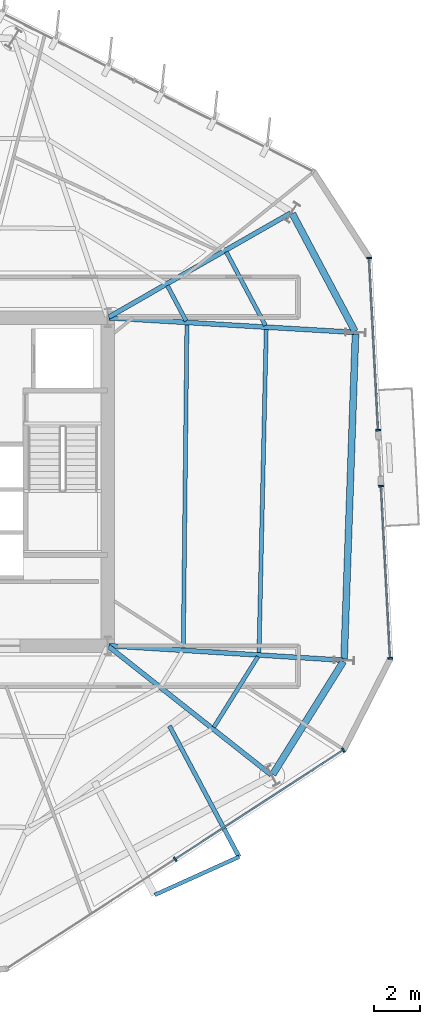
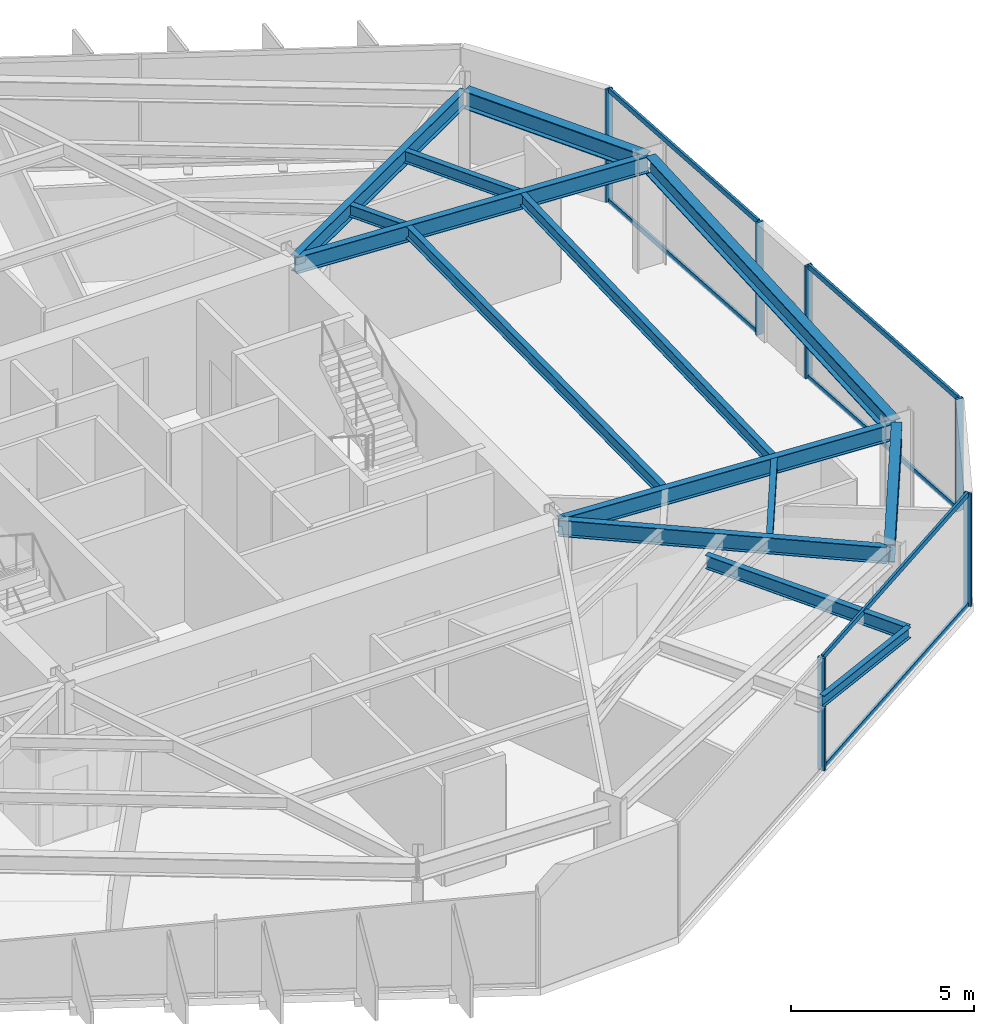
# One storey, part 4 of 12: 14 beams, 12 members, 3 elements without a shape of their own.
"""IFC4 building model written with IfcOpenShell, lengths in metres."""

from ifc_helpers import new_model, si_unit, direction, frame, origin, origin_2d, place, context, subcontext, project, spatial, rectangle, i_section, extrude, material, layer, layer_set, material_profile, profile_set, type_object, element, aggregate, save


model = new_model("IFC4")

# Units and contexts
model_context = context("Model", 3, precision=1e-05, world=origin(), true_north=direction((0.0, 1.0)))
body_context = subcontext(model_context, "Body", "Model", "MODEL_VIEW")
ifc_project = project(units=[si_unit("LENGTHUNIT", "METRE"), si_unit("AREAUNIT", "SQUARE_METRE"), si_unit("VOLUMEUNIT", "CUBIC_METRE"), si_unit("PLANEANGLEUNIT", "RADIAN"), si_unit("MASSUNIT", "GRAM", prefix="KILO")], contexts=[model_context])

# Site, building, storey
site_placement = place(None, origin())
site = spatial("IfcSite", under=ifc_project, at=site_placement, CompositionType="ELEMENT")
building_placement = place(site_placement, origin())
building = spatial("IfcBuilding", under=site, at=building_placement, Name="Kranzbogen Civic Tower", CompositionType="ELEMENT")
storey_placement = place(building_placement, frame((0.0, 0.0, 154.39990234375)))
storey = spatial("IfcBuildingStorey", under=building, at=storey_placement, Name="L37", CompositionType="ELEMENT", Elevation=154.39990234375)

# Beam
ifc_material_1 = material(Name="Steel S355", Category="steel")
ifc_material_profile_1 = material_profile(ifc_material_1, i_section(OverallWidth=0.18994140625, OverallDepth=0.449951171875, WebThickness=0.009521484375, FlangeThickness=0.0146484375, at=origin_2d()), Name="IPE 450")
ifc_profile_set_1 = profile_set([ifc_material_profile_1], Name="Steel S355")
beam_type_1 = type_object("IfcBeamType", Name="Braced Terrace Edge Beam IPE 450", PredefinedType="BEAM", material=ifc_profile_set_1)
beam_1_placement = place(storey_placement, frame((35.51611328125, 14.27490234375, 3.525146484375), z_axis=(0.469473100649, -0.882946775161, 0.0), x_axis=(0.882946775161, 0.469473100649, 0.0)))
element("IfcBeam", 1, at=beam_1_placement, inside=storey, type_object=beam_type_1, Name="L38 back-spanned terrace beam L38-TB1-2", PredefinedType="BEAM", context=body_context, shape_type="SweptSolid", body=[
    extrude(i_section(OverallWidth=0.18994140625, OverallDepth=0.449951171875, WebThickness=0.009521484375, FlangeThickness=0.0146484375, at=origin_2d()), origin(), (0.0, 0.0, 1.0), 6.513427734375),
])

# Curtain wall, members
ifc_material_2 = material(Name="Pale Anodised Aluminium", Category="aluminium")
ifc_layer = layer(ifc_material_2, 0.219970703125, Name="Pale Anodised Aluminium")
ifc_layer_set = layer_set([ifc_layer], Name="Pale Anodised Aluminium")
curtain_wall_type = type_object("IfcCurtainWallType", Name="Zone 2 Stick Curtain Wall System CW-03", PredefinedType="USERDEFINED", material=ifc_layer_set)
curtain_wall_1_placement = place(storey_placement, origin())
curtain_wall_1 = element("IfcCurtainWall", 2, at=curtain_wall_1_placement, inside=storey, type_object=curtain_wall_type, Name="L37 curtain wall CW-L37-F5", ObjectType="STICK CURTAIN WALL", PredefinedType="USERDEFINED")
ifc_material_profile_2 = material_profile(ifc_material_2, rectangle(XDim=0.074951171875, YDim=0.219970703125, at=origin_2d()), Name="ALU-M 75x220")
ifc_profile_set_2 = profile_set([ifc_material_profile_2], Name="Pale Anodised Aluminium")
member_type_1 = type_object("IfcMemberType", Name="Curtain Wall Mullion ALU-M 75x220", PredefinedType="MULLION", material=ifc_profile_set_2)
member_1_placement = place(storey_placement, frame((35.7685546875, 8.41748046875, 0.0), z_axis=(0.0, 0.0, 1.0), x_axis=(0.83865175397, 0.544668004901, 0.0)))
member_1 = element("IfcMember", 3, at=member_1_placement, type_object=member_type_1, Name="CW-03 mullion 2", PredefinedType="MULLION", context=body_context, shape_type="SweptSolid", body=[
    extrude(rectangle(XDim=0.074951171875, YDim=0.219970703125, at=origin_2d()), origin(), (0.0, 0.0, 1.0), 3.760009765625),
])
member_2_placement = place(storey_placement, frame((43.15185546875, 13.212646484375, 0.0), z_axis=(0.0, 0.0, 1.0), x_axis=(0.83865175397, 0.544668004901, 0.0)))
member_2 = element("IfcMember", 4, at=member_2_placement, type_object=member_type_1, Name="CW-03 mullion 3", PredefinedType="MULLION", context=body_context, shape_type="SweptSolid", body=[
    extrude(rectangle(XDim=0.074951171875, YDim=0.219970703125, at=origin_2d()), origin(), (0.0, 0.0, 1.0), 3.760009765625),
])

curtain_wall_2_placement = place(storey_placement, origin())
curtain_wall_2 = element("IfcCurtainWall", 5, at=curtain_wall_2_placement, inside=storey, type_object=curtain_wall_type, Name="L37 curtain wall CW-L37-F6-S1", ObjectType="STICK CURTAIN WALL", PredefinedType="USERDEFINED")
member_3_placement = place(storey_placement, frame((45.205322265625, 17.241943359375, 0.0), z_axis=(0.0, 0.0, 1.0), x_axis=(-0.052393835252, 0.998626499762, 0.0)))
member_3 = element("IfcMember", 6, at=member_3_placement, type_object=member_type_1, Name="CW-03 mullion 1", PredefinedType="MULLION", context=body_context, shape_type="SweptSolid", body=[
    extrude(rectangle(XDim=0.074951171875, YDim=0.219970703125, at=origin_2d()), origin(), (0.0, 0.0, 1.0), 3.760009765625),
])
member_4_placement = place(storey_placement, frame((44.80859375, 24.80615234375, 0.0), z_axis=(0.0, 0.0, 1.0), x_axis=(-0.052393835252, 0.998626499762, 0.0)))
member_4 = element("IfcMember", 7, at=member_4_placement, type_object=member_type_1, Name="CW-03 mullion 2", PredefinedType="MULLION", context=body_context, shape_type="SweptSolid", body=[
    extrude(rectangle(XDim=0.074951171875, YDim=0.219970703125, at=origin_2d()), origin(), (0.0, 0.0, 1.0), 3.760009765625),
])

curtain_wall_3_placement = place(storey_placement, origin())
curtain_wall_3 = element("IfcCurtainWall", 8, at=curtain_wall_3_placement, inside=storey, type_object=curtain_wall_type, Name="L37 curtain wall CW-L37-F6-S2", ObjectType="STICK CURTAIN WALL", PredefinedType="USERDEFINED")
member_5_placement = place(storey_placement, frame((44.680419921875, 27.262939453125, 0.0), z_axis=(0.0, 0.0, 1.0), x_axis=(-0.052400689505, 0.998626140124, 0.0)))
member_5 = element("IfcMember", 9, at=member_5_placement, type_object=member_type_1, Name="CW-03 mullion 1", PredefinedType="MULLION", context=body_context, shape_type="SweptSolid", body=[
    extrude(rectangle(XDim=0.074951171875, YDim=0.219970703125, at=origin_2d()), origin(), (0.0, 0.0, 1.0), 3.760009765625),
])
member_6_placement = place(storey_placement, frame((44.28369140625, 34.825927734375, 0.0), z_axis=(0.0, 0.0, 1.0), x_axis=(-0.052400689505, 0.998626140124, 0.0)))
member_6 = element("IfcMember", 10, at=member_6_placement, type_object=member_type_1, Name="CW-03 mullion 2", PredefinedType="MULLION", context=body_context, shape_type="SweptSolid", body=[
    extrude(rectangle(XDim=0.074951171875, YDim=0.219970703125, at=origin_2d()), origin(), (0.0, 0.0, 1.0), 3.760009765625),
])

# Member
ifc_material_profile_3 = material_profile(ifc_material_2, rectangle(XDim=0.074951171875, YDim=0.1650390625, at=origin_2d()), Name="ALU-T 75x165")
ifc_profile_set_3 = profile_set([ifc_material_profile_3], Name="Pale Anodised Aluminium")
member_type_2 = type_object("IfcMemberType", Name="Curtain Wall Transom ALU-T 75x165", PredefinedType="USERDEFINED", material=ifc_profile_set_3)
member_7_placement = place(storey_placement, frame((35.793701171875, 8.433837890625, 0.030029296875), z_axis=(0.838652794659, 0.544666402498, 0.0), x_axis=(-0.544666402498, 0.838652794659, 0.0)))
member_7 = element("IfcMember", 11, at=member_7_placement, type_object=member_type_2, Name="CW-03 transom 2.1", ObjectType="TRANSOM", PredefinedType="USERDEFINED", context=body_context, shape_type="SweptSolid", body=[
    extrude(rectangle(XDim=0.074951171875, YDim=0.1650390625, at=origin_2d()), origin(), (0.0, 0.0, 1.0), 8.743896484375),
])

member_8_placement = place(storey_placement, frame((35.793701171875, 8.433837890625, 3.72998046875), z_axis=(0.838652794659, 0.544666402498, 0.0), x_axis=(-0.544666402498, 0.838652794659, 0.0)))
member_8 = element("IfcMember", 12, at=member_8_placement, type_object=member_type_2, Name="CW-03 transom 2.2", ObjectType="TRANSOM", PredefinedType="USERDEFINED", context=body_context, shape_type="SweptSolid", body=[
    extrude(rectangle(XDim=0.074951171875, YDim=0.1650390625, at=origin_2d()), origin(), (0.0, 0.0, 1.0), 8.743896484375),
])

aggregate(curtain_wall_1, [member_1, member_2, member_7, member_8])

member_9_placement = place(storey_placement, frame((45.203857421875, 17.27197265625, 0.030029296875), z_axis=(-0.052405360596, 0.998625895008, 0.0), x_axis=(-0.998625895008, -0.052405360596, 0.0)))
member_9 = element("IfcMember", 13, at=member_9_placement, type_object=member_type_2, Name="CW-03 transom 1.1", ObjectType="TRANSOM", PredefinedType="USERDEFINED", context=body_context, shape_type="SweptSolid", body=[
    extrude(rectangle(XDim=0.074951171875, YDim=0.1650390625, at=origin_2d()), origin(), (0.0, 0.0, 1.0), 7.514404296875),
])

member_10_placement = place(storey_placement, frame((45.203857421875, 17.27197265625, 3.72998046875), z_axis=(-0.052405360596, 0.998625895008, 0.0), x_axis=(-0.998625895008, -0.052405360596, 0.0)))
member_10 = element("IfcMember", 14, at=member_10_placement, type_object=member_type_2, Name="CW-03 transom 1.2", ObjectType="TRANSOM", PredefinedType="USERDEFINED", context=body_context, shape_type="SweptSolid", body=[
    extrude(rectangle(XDim=0.074951171875, YDim=0.1650390625, at=origin_2d()), origin(), (0.0, 0.0, 1.0), 7.514404296875),
])

aggregate(curtain_wall_2, [member_3, member_4, member_9, member_10])

member_11_placement = place(storey_placement, frame((44.678955078125, 27.29296875, 0.030029296875), z_axis=(-0.052412162589, 0.998625538034, 0.0), x_axis=(-0.998625538034, -0.052412162589, 0.0)))
member_11 = element("IfcMember", 15, at=member_11_placement, type_object=member_type_2, Name="CW-03 transom 1.1", ObjectType="TRANSOM", PredefinedType="USERDEFINED", context=body_context, shape_type="SweptSolid", body=[
    extrude(rectangle(XDim=0.074951171875, YDim=0.1650390625, at=origin_2d()), origin(), (0.0, 0.0, 1.0), 7.513427734375),
])

member_12_placement = place(storey_placement, frame((44.678955078125, 27.29296875, 3.72998046875), z_axis=(-0.052412162589, 0.998625538034, 0.0), x_axis=(-0.998625538034, -0.052412162589, 0.0)))
member_12 = element("IfcMember", 16, at=member_12_placement, type_object=member_type_2, Name="CW-03 transom 1.2", ObjectType="TRANSOM", PredefinedType="USERDEFINED", context=body_context, shape_type="SweptSolid", body=[
    extrude(rectangle(XDim=0.074951171875, YDim=0.1650390625, at=origin_2d()), origin(), (0.0, 0.0, 1.0), 7.513427734375),
])

aggregate(curtain_wall_3, [member_5, member_6, member_11, member_12])

# Beams
ifc_material_profile_4 = material_profile(ifc_material_1, i_section(OverallWidth=0.300048828125, OverallDepth=0.60009765625, WebThickness=0.015380859375, FlangeThickness=0.030029296875, at=origin_2d()), Name="HEB 600")
ifc_profile_set_4 = profile_set([ifc_material_profile_4], Name="Steel S355")
beam_type_2 = type_object("IfcBeamType", Name="Perimeter Tube Spandrel Beam HEB 600", PredefinedType="SPANDREL", material=ifc_profile_set_4)
beam_2_placement = place(storey_placement, frame((40.054931640625, 12.14306640625, 3.460205078125), z_axis=(0.529863902903, 0.848082687242, 0.0), x_axis=(-0.848082687242, 0.529863902903, 0.0)))
element("IfcBeam", 17, at=beam_2_placement, inside=storey, type_object=beam_type_2, Name="L37 perimeter spandrel beam 05", PredefinedType="SPANDREL", context=body_context, shape_type="SweptSolid", body=[
    extrude(i_section(OverallWidth=0.300048828125, OverallDepth=0.60009765625, WebThickness=0.015380859375, FlangeThickness=0.030029296875, at=origin_2d()), origin(), (0.0, 0.0, 1.0), 5.850830078125),
])
beam_3_placement = place(storey_placement, frame((43.18896484375, 17.216064453125, 3.460205078125), z_axis=(0.034924229103, 0.999389963038, 0.0), x_axis=(-0.999389963038, 0.034924229103, 0.0)))
element("IfcBeam", 18, at=beam_3_placement, inside=storey, type_object=beam_type_2, Name="L37 perimeter spandrel beam 06", PredefinedType="SPANDREL", context=body_context, shape_type="SweptSolid", body=[
    extrude(i_section(OverallWidth=0.300048828125, OverallDepth=0.60009765625, WebThickness=0.015380859375, FlangeThickness=0.030029296875, at=origin_2d()), origin(), (0.0, 0.0, 1.0), 14.288818359375),
])
beam_4_placement = place(storey_placement, frame((43.662109375, 31.60888671875, 3.460205078125), z_axis=(-0.469565926668, 0.882897412224, 0.0), x_axis=(-0.882897412224, -0.469565926668, 0.0)))
element("IfcBeam", 19, at=beam_4_placement, inside=storey, type_object=beam_type_2, Name="L37 perimeter spandrel beam 07", PredefinedType="SPANDREL", context=body_context, shape_type="SweptSolid", body=[
    extrude(i_section(OverallWidth=0.300048828125, OverallDepth=0.60009765625, WebThickness=0.015380859375, FlangeThickness=0.030029296875, at=origin_2d()), origin(), (0.0, 0.0, 1.0), 5.852294921875),
])
ifc_material_profile_5 = material_profile(ifc_material_1, i_section(OverallWidth=0.2099609375, OverallDepth=0.550048828125, WebThickness=0.010986328125, FlangeThickness=0.01708984375, at=origin_2d()), Name="IPE 550")
ifc_profile_set_5 = profile_set([ifc_material_profile_5], Name="Steel S355")
beam_type_3 = type_object("IfcBeamType", Name="Radial Tower Floor Girder IPE 550", PredefinedType="BEAM", material=ifc_profile_set_5)
beam_5_placement = place(storey_placement, frame((39.97607421875, 12.12890625, 3.485107421875), z_axis=(-0.78457455683, 0.620034486763, 0.0), x_axis=(-0.620034486763, -0.78457455683, 0.0)))
element("IfcBeam", 20, at=beam_5_placement, inside=storey, type_object=beam_type_3, Name="L37 radial floor girder 05", PredefinedType="BEAM", context=body_context, shape_type="SweptSolid", body=[
    extrude(i_section(OverallWidth=0.2099609375, OverallDepth=0.550048828125, WebThickness=0.010986328125, FlangeThickness=0.01708984375, at=origin_2d()), origin(), (0.0, 0.0, 1.0), 9.086669921875),
])
beam_6_placement = place(storey_placement, frame((43.126953125, 17.159912109375, 3.485107421875), z_axis=(-0.998086872961, 0.061827130147, 0.0), x_axis=(-0.061827130147, -0.998086872961, 0.0)))
element("IfcBeam", 21, at=beam_6_placement, inside=storey, type_object=beam_type_3, Name="L37 radial floor girder 06", PredefinedType="BEAM", context=body_context, shape_type="SweptSolid", body=[
    extrude(i_section(OverallWidth=0.2099609375, OverallDepth=0.550048828125, WebThickness=0.010986328125, FlangeThickness=0.01708984375, at=origin_2d()), origin(), (0.0, 0.0, 1.0), 10.28662109375),
])
beam_7_placement = place(storey_placement, frame((43.6298828125, 31.56005859375, 3.485107421875), z_axis=(-0.998260925387, 0.058950189528, 0.0), x_axis=(-0.058950189528, -0.998260925387, 0.0)))
element("IfcBeam", 22, at=beam_7_placement, inside=storey, type_object=beam_type_3, Name="L37 radial floor girder 07", PredefinedType="BEAM", context=body_context, shape_type="SweptSolid", body=[
    extrude(i_section(OverallWidth=0.2099609375, OverallDepth=0.550048828125, WebThickness=0.010986328125, FlangeThickness=0.01708984375, at=origin_2d()), origin(), (0.0, 0.0, 1.0), 10.78857421875),
])
beam_8_placement = place(storey_placement, frame((40.833984375, 36.799072265625, 3.485107421875), z_axis=(-0.867868812182, -0.496793442833, 0.0), x_axis=(0.496793442833, -0.867868812182, 0.0)))
element("IfcBeam", 23, at=beam_8_placement, inside=storey, type_object=beam_type_3, Name="L37 radial floor girder 08", PredefinedType="BEAM", context=body_context, shape_type="SweptSolid", body=[
    extrude(i_section(OverallWidth=0.2099609375, OverallDepth=0.550048828125, WebThickness=0.010986328125, FlangeThickness=0.01708984375, at=origin_2d()), origin(), (0.0, 0.0, 1.0), 9.197265625),
])
ifc_material_profile_6 = material_profile(ifc_material_1, i_section(OverallWidth=0.169921875, OverallDepth=0.360107421875, WebThickness=0.008056640625, FlangeThickness=0.0126953125, at=origin_2d()), Name="IPE 360")
ifc_profile_set_6 = profile_set([ifc_material_profile_6], Name="Steel S355")
beam_type_4 = type_object("IfcBeamType", Name="Secondary Composite Floor Joist IPE 360", PredefinedType="JOIST", material=ifc_profile_set_6)
beam_9_placement = place(storey_placement, frame((34.868896484375, 6.85009765625, 3.570068359375), z_axis=(0.911318275645, 0.411702563114, 0.0), x_axis=(-0.411702563114, 0.911318275645, 0.0)))
element("IfcBeam", 24, at=beam_9_placement, inside=storey, type_object=beam_type_4, Name="L38 terrace outer edge trimmer L38-TB1", PredefinedType="JOIST", context=body_context, shape_type="SweptSolid", body=[
    extrude(i_section(OverallWidth=0.169921875, OverallDepth=0.360107421875, WebThickness=0.008056640625, FlangeThickness=0.0126953125, at=origin_2d()), origin(), (0.0, 0.0, 1.0), 4.065673828125),
])
ifc_material_profile_7 = material_profile(ifc_material_1, i_section(OverallWidth=0.179931640625, OverallDepth=0.39990234375, WebThickness=0.008544921875, FlangeThickness=0.013427734375, at=origin_2d()), Name="IPE 400")
ifc_profile_set_7 = profile_set([ifc_material_profile_7], Name="Steel S355")
beam_type_5 = type_object("IfcBeamType", Name="Secondary Composite Floor Joist IPE 400", PredefinedType="JOIST", material=ifc_profile_set_7)
beam_10_placement = place(storey_placement, frame((37.465087890625, 14.215087890625, 3.56005859375), z_axis=(0.529867065107, 0.848080711557, 0.0), x_axis=(-0.848080711557, 0.529867065107, 0.0)))
element("IfcBeam", 25, at=beam_10_placement, inside=storey, type_object=beam_type_5, Name="L37 secondary floor joist 1.05", PredefinedType="JOIST", context=body_context, shape_type="SweptSolid", body=[
    extrude(i_section(OverallWidth=0.179931640625, OverallDepth=0.39990234375, WebThickness=0.008544921875, FlangeThickness=0.013427734375, at=origin_2d()), origin(), (0.0, 0.0, 1.0), 3.6611328125),
])
beam_11_placement = place(storey_placement, frame((39.448974609375, 17.468017578125, 3.56005859375), z_axis=(0.022402523442, 0.999749031979, 0.0), x_axis=(-0.999749031979, 0.022402523442, 0.0)))
element("IfcBeam", 26, at=beam_11_placement, inside=storey, type_object=beam_type_5, Name="L37 secondary floor joist 1.06", PredefinedType="JOIST", context=body_context, shape_type="SweptSolid", body=[
    extrude(i_section(OverallWidth=0.179931640625, OverallDepth=0.39990234375, WebThickness=0.008544921875, FlangeThickness=0.013427734375, at=origin_2d()), origin(), (0.0, 0.0, 1.0), 14.24365234375),
])
beam_12_placement = place(storey_placement, frame((36.125, 17.674072265625, 3.56005859375), z_axis=(0.011160516663, 0.999937719494, 0.0), x_axis=(-0.999937719494, 0.011160516663, 0.0)))
element("IfcBeam", 27, at=beam_12_placement, inside=storey, type_object=beam_type_5, Name="L37 secondary floor joist 2.06", PredefinedType="JOIST", context=body_context, shape_type="SweptSolid", body=[
    extrude(i_section(OverallWidth=0.179931640625, OverallDepth=0.39990234375, WebThickness=0.008544921875, FlangeThickness=0.013427734375, at=origin_2d()), origin(), (0.0, 0.0, 1.0), 14.240966796875),
])
beam_13_placement = place(storey_placement, frame((39.73193359375, 31.85791015625, 3.56005859375), z_axis=(-0.469338791783, 0.88301817565, 0.0), x_axis=(-0.88301817565, -0.469338791783, 0.0)))
element("IfcBeam", 28, at=beam_13_placement, inside=storey, type_object=beam_type_5, Name="L37 secondary floor joist 1.07", PredefinedType="JOIST", context=body_context, shape_type="SweptSolid", body=[
    extrude(i_section(OverallWidth=0.179931640625, OverallDepth=0.39990234375, WebThickness=0.008544921875, FlangeThickness=0.013427734375, at=origin_2d()), origin(), (0.0, 0.0, 1.0), 3.66259765625),
])
beam_14_placement = place(storey_placement, frame((36.2470703125, 32.06494140625, 3.56005859375), z_axis=(-0.46943723363, 0.882965845139, 0.0), x_axis=(-0.882965845139, -0.46943723363, 0.0)))
element("IfcBeam", 29, at=beam_14_placement, inside=storey, type_object=beam_type_5, Name="L37 secondary floor joist 2.07", PredefinedType="JOIST", context=body_context, shape_type="SweptSolid", body=[
    extrude(i_section(OverallWidth=0.179931640625, OverallDepth=0.39990234375, WebThickness=0.008544921875, FlangeThickness=0.013427734375, at=origin_2d()), origin(), (0.0, 0.0, 1.0), 1.7509765625),
])

save(model, "model.ifc")
